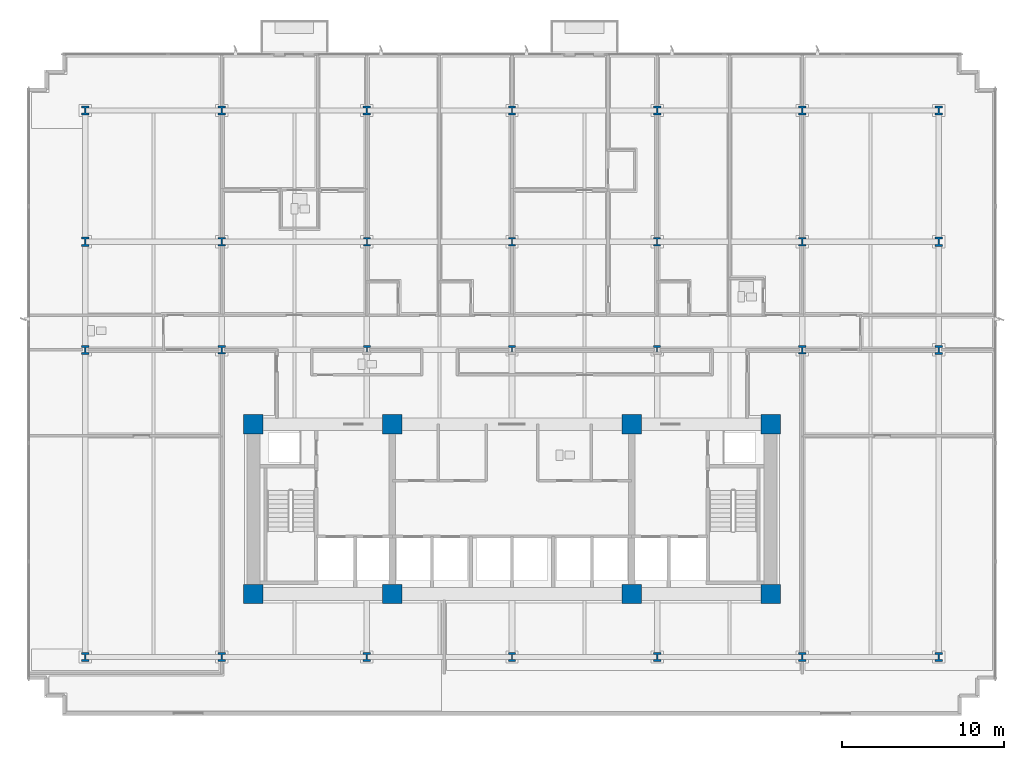
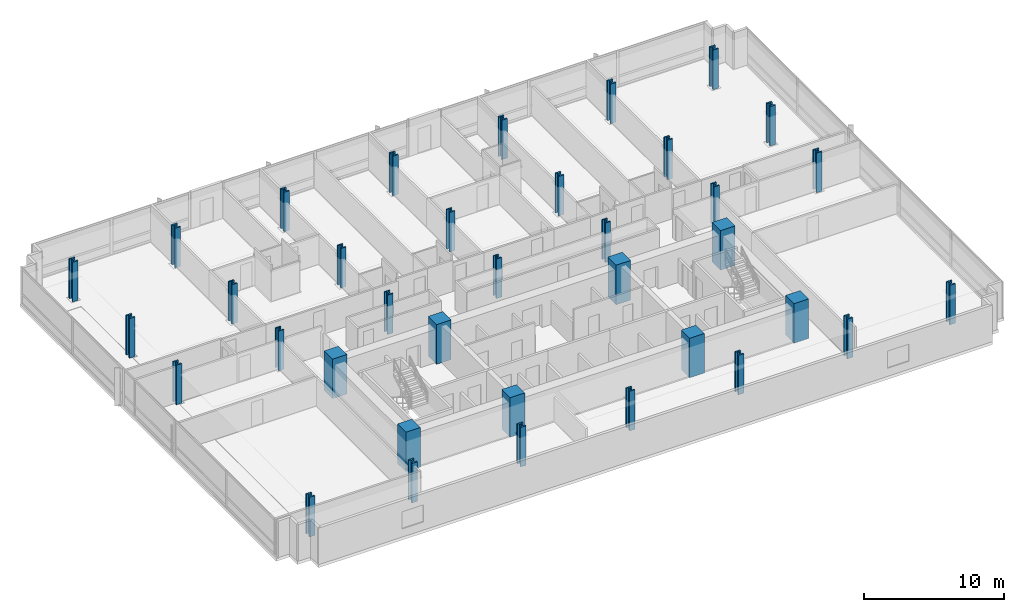
# One storey, part 1 of 16: 36 columns.
"""IFC4 building model written with IfcOpenShell, lengths in metres."""

from ifc_helpers import new_model, si_unit, direction, frame, origin, origin_2d, place, context, subcontext, project, spatial, rectangle, i_section, extrude, material, material_profile, profile_set, type_object, element, save


model = new_model("IFC4")

# Units and contexts
model_context = context("Model", 3, precision=1e-05, world=origin(), true_north=direction((0.0, 1.0)))
body_context = subcontext(model_context, "Body", "Model", "MODEL_VIEW")
ifc_project = project(units=[si_unit("LENGTHUNIT", "METRE"), si_unit("AREAUNIT", "SQUARE_METRE"), si_unit("VOLUMEUNIT", "CUBIC_METRE"), si_unit("PLANEANGLEUNIT", "RADIAN"), si_unit("MASSUNIT", "GRAM", prefix="KILO")], contexts=[model_context])

# Site, building, storey
site_placement = place(None, origin())
site = spatial("IfcSite", under=ifc_project, at=site_placement, CompositionType="ELEMENT")
building_placement = place(site_placement, origin())
building = spatial("IfcBuilding", under=site, at=building_placement, Name="Solmavex Isthmus Hotel", CompositionType="ELEMENT")
storey_placement = place(building_placement, frame((0.0, 0.0, 67.800048828125)))
storey = spatial("IfcBuildingStorey", under=building, at=storey_placement, Name="L18", CompositionType="ELEMENT", Elevation=67.800048828125)

# Columns
ifc_material_1 = material(Name="Concrete C70/85", Category="concrete")
ifc_material_profile_1 = material_profile(ifc_material_1, rectangle(XDim=1.199951171875, YDim=1.199951171875, at=origin_2d()), Name="RC1200X1200")
ifc_profile_set_1 = profile_set([ifc_material_profile_1], Name="Concrete C70/85")
column_type_1 = type_object("IfcColumnType", Name="COL-CC-1200", PredefinedType="COLUMN", material=ifc_profile_set_1)
for number, where, z_axis, x_axis, name in (
    (1, (-16.0, -13.0, 0.0), (0.0, 0.0, 1.0), (1.0, 0.0, 0.0), "Core Pilaster CC-SW L18"),
    (2, (-7.39990234375, -13.0, 0.0), (0.0, 0.0, 1.0), (1.0, 0.0, 0.0), "Core Pilaster CC-S1 L18"),
    (3, (7.39990234375, -13.0, 0.0), (0.0, 0.0, 1.0), (1.0, 0.0, 0.0), "Core Pilaster CC-S2 L18"),
    (4, (16.0, -13.0, 0.0), (0.0, 0.0, 1.0), (1.0, 0.0, 0.0), "Core Pilaster CC-SE L18"),
    (5, (-16.0, -2.5, 0.0), (0.0, 0.0, 1.0), (1.0, 0.0, 0.0), "Core Pilaster CC-NW L18"),
    (6, (-7.39990234375, -2.5, 0.0), (0.0, 0.0, 1.0), (1.0, 0.0, 0.0), "Core Pilaster CC-N1 L18"),
    (7, (7.39990234375, -2.5, 0.0), (0.0, 0.0, 1.0), (1.0, 0.0, 0.0), "Core Pilaster CC-N2 L18"),
    (8, (16.0, -2.5, 0.0), (0.0, 0.0, 1.0), (1.0, 0.0, 0.0), "Core Pilaster CC-NE L18"),
):
    element("IfcColumn", number, at=place(storey_placement, frame(where, z_axis=z_axis, x_axis=x_axis)), inside=storey, type_object=column_type_1, Name=name, PredefinedType="COLUMN", context=body_context, shape_type="SweptSolid", body=[
        extrude(rectangle(XDim=1.199951171875, YDim=1.199951171875, at=origin_2d()), origin(), (0.0, 0.0, 1.0), 3.449951171875),
    ])
ifc_material_2 = material(Name="Steel ASTM A913 Grade 65", Category="steel")
ifc_material_profile_2 = material_profile(ifc_material_2, i_section(OverallWidth=0.442138671875, OverallDepth=0.531494140625, WebThickness=0.06591796875, FlangeThickness=0.105712890625, FilletRadius=0.030517578125, at=origin_2d()), Name="W14X605")
ifc_profile_set_2 = profile_set([ifc_material_profile_2], Name="Steel ASTM A913 Grade 65")
column_type_2 = type_object("IfcColumnType", Name="COL-SC-W14X605", PredefinedType="COLUMN", material=ifc_profile_set_2)
for number, where, z_axis, x_axis, name in (
    (9, (-17.951904296875, 2.10009765625, 0.0), (0.0, 0.0, 1.0), (1.0, 0.0, 0.0), "Tower Column B1-U2V2 L18"),
    (10, (-17.951904296875, 8.7880859375, 0.0), (0.0, 0.0, 1.0), (1.0, 0.0, 0.0), "Tower Column B1-U2V3 L18"),
    (11, (-8.97607421875, 2.10009765625, 0.0), (0.0, 0.0, 1.0), (1.0, 0.0, 0.0), "Tower Column B1-U3V2 L18"),
    (12, (-8.97607421875, 8.7880859375, 0.0), (0.0, 0.0, 1.0), (1.0, 0.0, 0.0), "Tower Column B1-U3V3 L18"),
    (13, (0.0, 2.10009765625, 0.0), (0.0, 0.0, 1.0), (1.0, 0.0, 0.0), "Tower Column B1-U4V2 L18"),
    (14, (0.0, 8.7880859375, 0.0), (0.0, 0.0, 1.0), (1.0, 0.0, 0.0), "Tower Column B1-U4V3 L18"),
    (15, (8.97607421875, 2.10009765625, 0.0), (0.0, 0.0, 1.0), (1.0, 0.0, 0.0), "Tower Column B1-U5V2 L18"),
    (16, (8.97607421875, 8.7880859375, 0.0), (0.0, 0.0, 1.0), (1.0, 0.0, 0.0), "Tower Column B1-U5V3 L18"),
    (17, (17.951904296875, 2.10009765625, 0.0), (0.0, 0.0, 1.0), (1.0, 0.0, 0.0), "Tower Column B1-U6V2 L18"),
    (18, (17.951904296875, 8.7880859375, 0.0), (0.0, 0.0, 1.0), (1.0, 0.0, 0.0), "Tower Column B1-U6V3 L18"),
):
    element("IfcColumn", number, at=place(storey_placement, frame(where, z_axis=z_axis, x_axis=x_axis)), inside=storey, type_object=column_type_2, Name=name, PredefinedType="COLUMN", context=body_context, shape_type="SweptSolid", body=[
        extrude(i_section(OverallWidth=0.442138671875, OverallDepth=0.531494140625, WebThickness=0.06591796875, FlangeThickness=0.105712890625, FilletRadius=0.030517578125, at=origin_2d()), origin(), (0.0, 0.0, 1.0), 3.449951171875),
    ])
ifc_material_profile_3 = material_profile(ifc_material_2, i_section(OverallWidth=0.454345703125, OverallDepth=0.569091796875, WebThickness=0.077880859375, FlangeThickness=0.124755859375, FilletRadius=0.030517578125, at=origin_2d()), Name="W14X730")
ifc_profile_set_3 = profile_set([ifc_material_profile_3], Name="Steel ASTM A913 Grade 65")
column_type_3 = type_object("IfcColumnType", Name="COL-SC-W14X730", PredefinedType="COLUMN", material=ifc_profile_set_3)
for number, where, z_axis, x_axis, name in (
    (19, (-26.39990234375, -16.89990234375, 0.0), (0.0, 0.0, 1.0), (1.0, 0.0, 0.0), "Tower Column B1-U1V1 L18"),
    (20, (-26.39990234375, 2.10009765625, 0.0), (0.0, 0.0, 1.0), (1.0, 0.0, 0.0), "Tower Column B1-U1V2 L18"),
    (21, (-26.39990234375, 8.7880859375, 0.0), (0.0, 0.0, 1.0), (1.0, 0.0, 0.0), "Tower Column B1-U1V3 L18"),
    (22, (-26.39990234375, 16.89990234375, 0.0), (0.0, 0.0, 1.0), (1.0, 0.0, 0.0), "Tower Column B1-U1V4 L18"),
    (23, (-17.951904296875, -16.89990234375, 0.0), (0.0, 0.0, 1.0), (1.0, 0.0, 0.0), "Tower Column B1-U2V1 L18"),
    (24, (-17.951904296875, 16.89990234375, 0.0), (0.0, 0.0, 1.0), (1.0, 0.0, 0.0), "Tower Column B1-U2V4 L18"),
    (25, (-8.97607421875, -16.89990234375, 0.0), (0.0, 0.0, 1.0), (1.0, 0.0, 0.0), "Tower Column B1-U3V1 L18"),
    (26, (-8.97607421875, 16.89990234375, 0.0), (0.0, 0.0, 1.0), (1.0, 0.0, 0.0), "Tower Column B1-U3V4 L18"),
    (27, (0.0, -16.89990234375, 0.0), (0.0, 0.0, 1.0), (1.0, 0.0, 0.0), "Tower Column B1-U4V1 L18"),
    (28, (0.0, 16.89990234375, 0.0), (0.0, 0.0, 1.0), (1.0, 0.0, 0.0), "Tower Column B1-U4V4 L18"),
    (29, (8.97607421875, -16.89990234375, 0.0), (0.0, 0.0, 1.0), (1.0, 0.0, 0.0), "Tower Column B1-U5V1 L18"),
    (30, (8.97607421875, 16.89990234375, 0.0), (0.0, 0.0, 1.0), (1.0, 0.0, 0.0), "Tower Column B1-U5V4 L18"),
    (31, (17.951904296875, -16.89990234375, 0.0), (0.0, 0.0, 1.0), (1.0, 0.0, 0.0), "Tower Column B1-U6V1 L18"),
    (32, (17.951904296875, 16.89990234375, 0.0), (0.0, 0.0, 1.0), (1.0, 0.0, 0.0), "Tower Column B1-U6V4 L18"),
    (33, (26.39990234375, -16.89990234375, 0.0), (0.0, 0.0, 1.0), (1.0, 0.0, 0.0), "Tower Column B1-U7V1 L18"),
    (34, (26.39990234375, 2.10009765625, 0.0), (0.0, 0.0, 1.0), (1.0, 0.0, 0.0), "Tower Column B1-U7V2 L18"),
    (35, (26.39990234375, 8.7880859375, 0.0), (0.0, 0.0, 1.0), (1.0, 0.0, 0.0), "Tower Column B1-U7V3 L18"),
    (36, (26.39990234375, 16.89990234375, 0.0), (0.0, 0.0, 1.0), (1.0, 0.0, 0.0), "Tower Column B1-U7V4 L18"),
):
    element("IfcColumn", number, at=place(storey_placement, frame(where, z_axis=z_axis, x_axis=x_axis)), inside=storey, type_object=column_type_3, Name=name, PredefinedType="COLUMN", context=body_context, shape_type="SweptSolid", body=[
        extrude(i_section(OverallWidth=0.454345703125, OverallDepth=0.569091796875, WebThickness=0.077880859375, FlangeThickness=0.124755859375, FilletRadius=0.030517578125, at=origin_2d()), origin(), (0.0, 0.0, 1.0), 3.449951171875),
    ])

save(model, "model.ifc")
